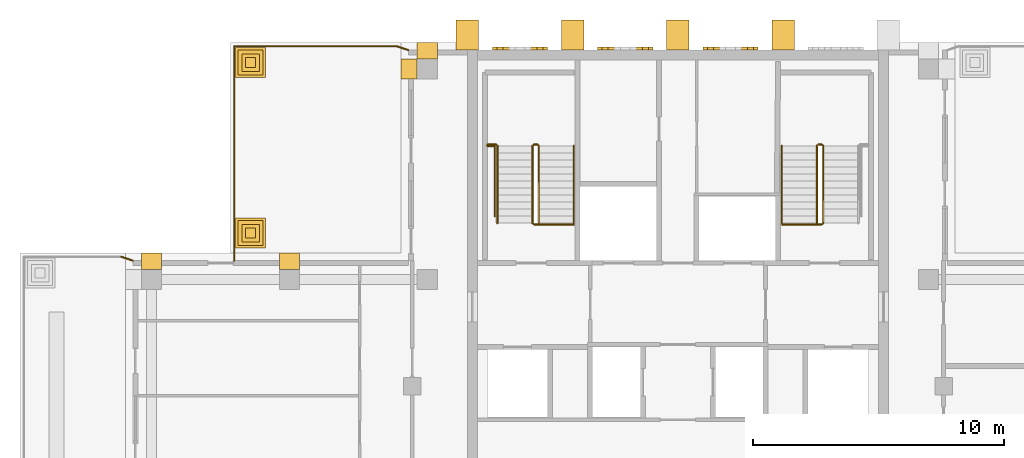
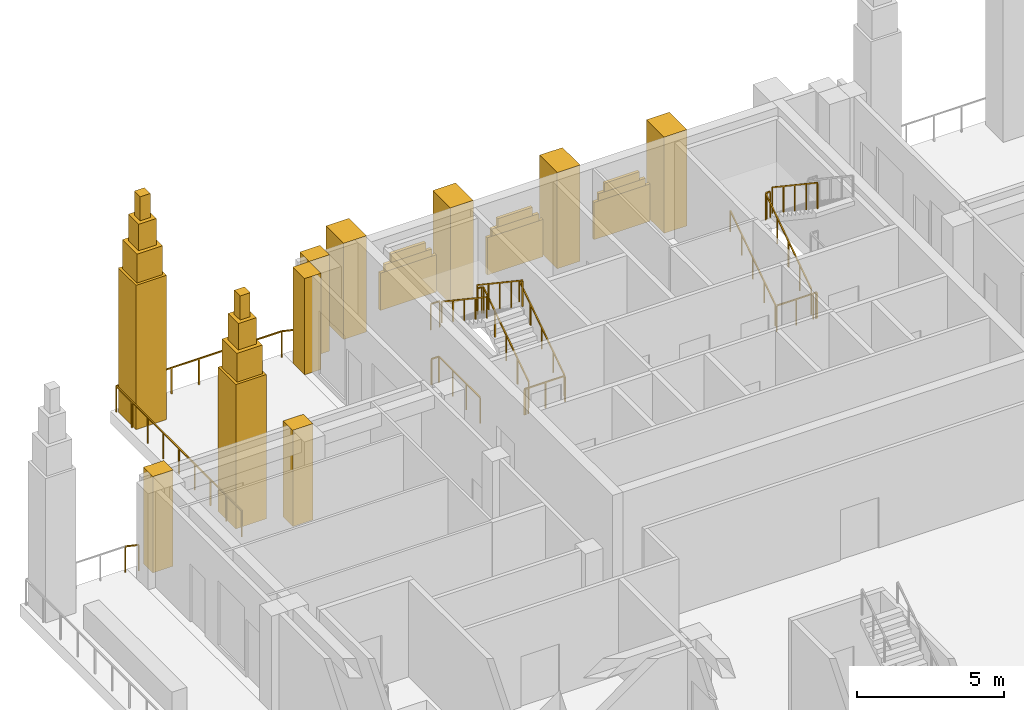
# One storey, part 9 of 10: 25 coverings, 17 railings.
"""IFC4 building model written with IfcOpenShell, lengths in metres."""

from ifc_helpers import new_model, si_unit, direction, frame, origin, origin_2d, place, context, subcontext, project, spatial, polyline, rectangle, outline, extrude, material, type_object, element, save


model = new_model("IFC4")

# Units and contexts
model_context = context("Model", 3, precision=1e-05, world=origin(), true_north=direction((0.0, 1.0)))
body_context = subcontext(model_context, "Body", "Model", "MODEL_VIEW")
ifc_project = project(units=[si_unit("LENGTHUNIT", "METRE"), si_unit("AREAUNIT", "SQUARE_METRE"), si_unit("VOLUMEUNIT", "CUBIC_METRE"), si_unit("PLANEANGLEUNIT", "RADIAN"), si_unit("MASSUNIT", "GRAM", prefix="KILO")], contexts=[model_context])

# Site, building, storey
site_placement = place(None, origin())
site = spatial("IfcSite", under=ifc_project, at=site_placement, CompositionType="ELEMENT")
building_placement = place(site_placement, origin())
building = spatial("IfcBuilding", under=site, at=building_placement, Name="Vermilion Ogive Tower", CompositionType="ELEMENT")
storey_placement = place(building_placement, frame((0.0, 0.0, 269.35009765625)))
storey = spatial("IfcBuildingStorey", under=building, at=storey_placement, Name="L71", CompositionType="ELEMENT", Elevation=269.35009765625)

# Coverings
ifc_material_1 = material(Name="Stone cladding", Category="masonry")
covering_type_1 = type_object("IfcCoveringType", Name="Core buttress pier", PredefinedType="CLADDING", material=ifc_material_1)
covering_1_placement = place(storey_placement, origin())
element("IfcCovering", 1, at=covering_1_placement, inside=storey, type_object=covering_type_1, Name="Buttress pier L71 N1", PredefinedType="CLADDING", context=body_context, shape_type="SweptSolid", body=[
    extrude(outline(polyline([(-8.85009765625, 21.75), (-7.949951171875, 21.75), (-7.949951171875, 22.949951171875), (-8.85009765625, 22.949951171875), (-8.85009765625, 21.75)])), origin(), (0.0, 0.0, 1.0), 4.0),
])
covering_2_placement = place(storey_placement, origin())
element("IfcCovering", 2, at=covering_2_placement, inside=storey, type_object=covering_type_1, Name="Buttress pier L71 N2", PredefinedType="CLADDING", context=body_context, shape_type="SweptSolid", body=[
    extrude(outline(polyline([(-4.64990234375, 21.75), (-3.75, 21.75), (-3.75, 22.949951171875), (-4.64990234375, 22.949951171875), (-4.64990234375, 21.75)])), origin(), (0.0, 0.0, 1.0), 4.0),
])
covering_3_placement = place(storey_placement, origin())
element("IfcCovering", 3, at=covering_3_placement, inside=storey, type_object=covering_type_1, Name="Buttress pier L71 N3", PredefinedType="CLADDING", context=body_context, shape_type="SweptSolid", body=[
    extrude(outline(polyline([(-0.449951171875, 21.75), (0.449951171875, 21.75), (0.449951171875, 22.949951171875), (-0.449951171875, 22.949951171875), (-0.449951171875, 21.75)])), origin(), (0.0, 0.0, 1.0), 4.0),
])
covering_4_placement = place(storey_placement, origin())
element("IfcCovering", 4, at=covering_4_placement, inside=storey, type_object=covering_type_1, Name="Buttress pier L71 N4", PredefinedType="CLADDING", context=body_context, shape_type="SweptSolid", body=[
    extrude(outline(polyline([(3.75, 21.75), (4.64990234375, 21.75), (4.64990234375, 22.949951171875), (3.75, 22.949951171875), (3.75, 21.75)])), origin(), (0.0, 0.0, 1.0), 4.0),
])
ifc_material_2 = material(Name="Stone cladding", Category="masonry")
covering_type_2 = type_object("IfcCoveringType", Name="Lancet panel", PredefinedType="CLADDING", material=ifc_material_2)
covering_5_placement = place(storey_placement, frame((0.0, 0.0, 0.699951171875)))
element("IfcCovering", 5, at=covering_5_placement, inside=storey, type_object=covering_type_2, Name="Lancet panel L71N1A", PredefinedType="CLADDING", context=body_context, shape_type="SweptSolid", body=[
    extrude(outline(polyline([(-7.39990234375, 21.75), (-5.199951171875, 21.75), (-5.199951171875, 21.8701171875), (-7.39990234375, 21.8701171875), (-7.39990234375, 21.75)])), origin(), (0.0, 0.0, 1.0), 1.550048828125),
])
covering_6_placement = place(storey_placement, frame((0.0, 0.0, 2.25)))
element("IfcCovering", 6, at=covering_6_placement, inside=storey, type_object=covering_type_2, Name="Lancet panel L71N1B", PredefinedType="CLADDING", context=body_context, shape_type="SweptSolid", body=[
    extrude(outline(polyline([(-7.22412109375, 21.75), (-5.3759765625, 21.75), (-5.3759765625, 21.8701171875), (-7.22412109375, 21.8701171875), (-7.22412109375, 21.75)])), origin(), (0.0, 0.0, 1.0), 0.2998046875),
])
covering_7_placement = place(storey_placement, frame((0.0, 0.0, 2.5498046875)))
element("IfcCovering", 7, at=covering_7_placement, inside=storey, type_object=covering_type_2, Name="Lancet panel L71N1C", PredefinedType="CLADDING", context=body_context, shape_type="SweptSolid", body=[
    extrude(outline(polyline([(-6.98193359375, 21.75), (-5.617919921875, 21.75), (-5.617919921875, 21.8701171875), (-6.98193359375, 21.8701171875), (-6.98193359375, 21.75)])), origin(), (0.0, 0.0, 1.0), 0.35009765625),
])
covering_8_placement = place(storey_placement, frame((0.0, 0.0, 0.699951171875)))
element("IfcCovering", 8, at=covering_8_placement, inside=storey, type_object=covering_type_2, Name="Lancet panel L71N2A", PredefinedType="CLADDING", context=body_context, shape_type="SweptSolid", body=[
    extrude(outline(polyline([(-3.199951171875, 21.75), (-1.0, 21.75), (-1.0, 21.8701171875), (-3.199951171875, 21.8701171875), (-3.199951171875, 21.75)])), origin(), (0.0, 0.0, 1.0), 1.550048828125),
])
covering_9_placement = place(storey_placement, frame((0.0, 0.0, 2.25)))
element("IfcCovering", 9, at=covering_9_placement, inside=storey, type_object=covering_type_2, Name="Lancet panel L71N2B", PredefinedType="CLADDING", context=body_context, shape_type="SweptSolid", body=[
    extrude(outline(polyline([(-3.02392578125, 21.75), (-1.176025390625, 21.75), (-1.176025390625, 21.8701171875), (-3.02392578125, 21.8701171875), (-3.02392578125, 21.75)])), origin(), (0.0, 0.0, 1.0), 0.2998046875),
])
covering_10_placement = place(storey_placement, frame((0.0, 0.0, 2.5498046875)))
element("IfcCovering", 10, at=covering_10_placement, inside=storey, type_object=covering_type_2, Name="Lancet panel L71N2C", PredefinedType="CLADDING", context=body_context, shape_type="SweptSolid", body=[
    extrude(outline(polyline([(-2.781982421875, 21.75), (-1.41796875, 21.75), (-1.41796875, 21.8701171875), (-2.781982421875, 21.8701171875), (-2.781982421875, 21.75)])), origin(), (0.0, 0.0, 1.0), 0.35009765625),
])
covering_11_placement = place(storey_placement, frame((0.0, 0.0, 0.699951171875)))
element("IfcCovering", 11, at=covering_11_placement, inside=storey, type_object=covering_type_2, Name="Lancet panel L71N3A", PredefinedType="CLADDING", context=body_context, shape_type="SweptSolid", body=[
    extrude(outline(polyline([(1.0, 21.75), (3.199951171875, 21.75), (3.199951171875, 21.8701171875), (1.0, 21.8701171875), (1.0, 21.75)])), origin(), (0.0, 0.0, 1.0), 1.550048828125),
])
covering_12_placement = place(storey_placement, frame((0.0, 0.0, 2.25)))
element("IfcCovering", 12, at=covering_12_placement, inside=storey, type_object=covering_type_2, Name="Lancet panel L71N3B", PredefinedType="CLADDING", context=body_context, shape_type="SweptSolid", body=[
    extrude(outline(polyline([(1.176025390625, 21.75), (3.02392578125, 21.75), (3.02392578125, 21.8701171875), (1.176025390625, 21.8701171875), (1.176025390625, 21.75)])), origin(), (0.0, 0.0, 1.0), 0.2998046875),
])
covering_13_placement = place(storey_placement, frame((0.0, 0.0, 2.5498046875)))
element("IfcCovering", 13, at=covering_13_placement, inside=storey, type_object=covering_type_2, Name="Lancet panel L71N3C", PredefinedType="CLADDING", context=body_context, shape_type="SweptSolid", body=[
    extrude(outline(polyline([(1.41796875, 21.75), (2.781982421875, 21.75), (2.781982421875, 21.8701171875), (1.41796875, 21.8701171875), (1.41796875, 21.75)])), origin(), (0.0, 0.0, 1.0), 0.35009765625),
])

# Railings
ifc_material_3 = material(Name="Steel S355 painted", Category="steel")
railing_type_1 = type_object("IfcRailingType", Name="Stair guard 1100", PredefinedType="GUARDRAIL", material=ifc_material_3)
railing_1_placement = place(storey_placement, frame((-5.550048828125, 14.85009765625, 0.1875)))
element("IfcRailing", 14, at=railing_1_placement, inside=storey, type_object=railing_type_1, Name="L71 ST1 stair guard 1", PredefinedType="GUARDRAIL", context=body_context, shape_type="SweptSolid", body=[
    extrude(rectangle(XDim=0.048095703125, YDim=0.048095703125, at=origin_2d()), frame((0.0, 0.0, 1.076171875), z_axis=(0.0, 0.830893310487, 0.556431762742), x_axis=(-1.0, 0.0, 0.0)), (0.0, 0.0, 1.0), 3.70654296875),
    extrude(rectangle(XDim=0.048095703125, YDim=0.048095703125, at=origin_2d()), frame((0.0, 3.079833984375, 3.138671875), z_axis=(-0.707106781187, 0.707106781187, 0.0), x_axis=(-0.707106781187, -0.707106781187, 0.0)), (0.0, 0.0, 1.0), 0.07080078125),
    extrude(rectangle(XDim=0.048095703125, YDim=0.048095703125, at=origin_2d()), frame((-0.050048828125, 3.1298828125, 3.138671875), z_axis=(-1.0, 0.0, 0.0), x_axis=(0.0, -1.0, 0.0)), (0.0, 0.0, 1.0), 0.14990234375),
    extrude(rectangle(XDim=0.0419921875, YDim=0.0419921875, at=origin_2d()), origin(), (0.0, 0.0, 1.0), 1.052001953125),
    extrude(rectangle(XDim=0.0419921875, YDim=0.0419921875, at=origin_2d()), frame((0.0, 0.77001953125, 0.515625)), (0.0, 0.0, 1.0), 1.052001953125),
    extrude(rectangle(XDim=0.0419921875, YDim=0.0419921875, at=origin_2d()), frame((0.0, 1.5400390625, 1.03125)), (0.0, 0.0, 1.0), 1.052001953125),
    extrude(rectangle(XDim=0.0419921875, YDim=0.0419921875, at=origin_2d()), frame((0.0, 2.309814453125, 1.546875)), (0.0, 0.0, 1.0), 1.052001953125),
    extrude(rectangle(XDim=0.0419921875, YDim=0.0419921875, at=origin_2d()), frame((0.0, 3.079833984375, 2.0625)), (0.0, 0.0, 1.0), 1.052001953125),
    extrude(rectangle(XDim=0.0419921875, YDim=0.0419921875, at=origin_2d()), frame((-0.050048828125, 3.1298828125, 2.0625)), (0.0, 0.0, 1.0), 1.052001953125),
    extrude(rectangle(XDim=0.0419921875, YDim=0.0419921875, at=origin_2d()), frame((-0.199951171875, 3.1298828125, 2.0625)), (0.0, 0.0, 1.0), 1.052001953125),
])
railing_2_placement = place(storey_placement, frame((-5.800048828125, 17.929931640625, 2.4375)))
element("IfcRailing", 15, at=railing_2_placement, inside=storey, type_object=railing_type_1, Name="L71 ST1 stair guard 3", PredefinedType="GUARDRAIL", context=body_context, shape_type="SweptSolid", body=[
    extrude(rectangle(XDim=0.048095703125, YDim=0.048095703125, at=origin_2d()), frame((0.0, 0.0, 1.076171875), z_axis=(0.0, -0.830893310487, 0.556431762742), x_axis=(1.0, 0.0, 0.0)), (0.0, 0.0, 1.0), 3.70654296875),
    extrude(rectangle(XDim=0.0419921875, YDim=0.0419921875, at=origin_2d()), origin(), (0.0, 0.0, 1.0), 1.052001953125),
    extrude(rectangle(XDim=0.0419921875, YDim=0.0419921875, at=origin_2d()), frame((0.0, -0.77001953125, 0.515625)), (0.0, 0.0, 1.0), 1.052001953125),
    extrude(rectangle(XDim=0.0419921875, YDim=0.0419921875, at=origin_2d()), frame((0.0, -1.5400390625, 1.03125)), (0.0, 0.0, 1.0), 1.052001953125),
    extrude(rectangle(XDim=0.0419921875, YDim=0.0419921875, at=origin_2d()), frame((0.0, -2.309814453125, 1.546875)), (0.0, 0.0, 1.0), 1.052001953125),
    extrude(rectangle(XDim=0.0419921875, YDim=0.0419921875, at=origin_2d()), frame((0.0, -3.079833984375, 2.0625)), (0.0, 0.0, 1.0), 1.052001953125),
])
railing_3_placement = place(storey_placement, frame((-5.60009765625, 14.800048828125, 0.0)))
element("IfcRailing", 16, at=railing_3_placement, inside=storey, type_object=railing_type_1, Name="L71 ST1 stair guard 4", PredefinedType="GUARDRAIL", context=body_context, shape_type="SweptSolid", body=[
    extrude(rectangle(XDim=0.048095703125, YDim=0.048095703125, at=origin_2d()), frame((0.0, 0.0, 1.076171875), z_axis=(-1.0, 0.0, 0.0), x_axis=(0.0, -1.0, 0.0)), (0.0, 0.0, 1.0), 0.14990234375),
    extrude(rectangle(XDim=0.0419921875, YDim=0.0419921875, at=origin_2d()), origin(), (0.0, 0.0, 1.0), 1.052001953125),
    extrude(rectangle(XDim=0.0419921875, YDim=0.0419921875, at=origin_2d()), frame((-0.14990234375, 0.0, 0.0)), (0.0, 0.0, 1.0), 1.052001953125),
])
railing_4_placement = place(storey_placement, frame((5.550048828125, 14.85009765625, 0.1875)))
element("IfcRailing", 17, at=railing_4_placement, inside=storey, type_object=railing_type_1, Name="L71 ST2 stair guard 1", PredefinedType="GUARDRAIL", context=body_context, shape_type="SweptSolid", body=[
    extrude(rectangle(XDim=0.048095703125, YDim=0.048095703125, at=origin_2d()), frame((0.0, 0.0, 1.076171875), z_axis=(0.0, 0.830893310487, 0.556431762742), x_axis=(-1.0, 0.0, 0.0)), (0.0, 0.0, 1.0), 3.70654296875),
    extrude(rectangle(XDim=0.048095703125, YDim=0.048095703125, at=origin_2d()), frame((0.0, 3.079833984375, 3.138671875), z_axis=(0.707106781187, 0.707106781187, 0.0), x_axis=(-0.707106781187, 0.707106781187, 0.0)), (0.0, 0.0, 1.0), 0.07080078125),
    extrude(rectangle(XDim=0.048095703125, YDim=0.048095703125, at=origin_2d()), frame((0.050048828125, 3.1298828125, 3.138671875), z_axis=(1.0, 0.0, 0.0), x_axis=(0.0, 1.0, 0.0)), (0.0, 0.0, 1.0), 0.14990234375),
    extrude(rectangle(XDim=0.0419921875, YDim=0.0419921875, at=origin_2d()), origin(), (0.0, 0.0, 1.0), 1.052001953125),
    extrude(rectangle(XDim=0.0419921875, YDim=0.0419921875, at=origin_2d()), frame((0.0, 0.77001953125, 0.515625)), (0.0, 0.0, 1.0), 1.052001953125),
    extrude(rectangle(XDim=0.0419921875, YDim=0.0419921875, at=origin_2d()), frame((0.0, 1.5400390625, 1.03125)), (0.0, 0.0, 1.0), 1.052001953125),
    extrude(rectangle(XDim=0.0419921875, YDim=0.0419921875, at=origin_2d()), frame((0.0, 2.309814453125, 1.546875)), (0.0, 0.0, 1.0), 1.052001953125),
    extrude(rectangle(XDim=0.0419921875, YDim=0.0419921875, at=origin_2d()), frame((0.0, 3.079833984375, 2.0625)), (0.0, 0.0, 1.0), 1.052001953125),
    extrude(rectangle(XDim=0.0419921875, YDim=0.0419921875, at=origin_2d()), frame((0.050048828125, 3.1298828125, 2.0625)), (0.0, 0.0, 1.0), 1.052001953125),
    extrude(rectangle(XDim=0.0419921875, YDim=0.0419921875, at=origin_2d()), frame((0.199951171875, 3.1298828125, 2.0625)), (0.0, 0.0, 1.0), 1.052001953125),
])
railing_5_placement = place(storey_placement, frame((5.800048828125, 17.929931640625, 2.4375)))
element("IfcRailing", 18, at=railing_5_placement, inside=storey, type_object=railing_type_1, Name="L71 ST2 stair guard 3", PredefinedType="GUARDRAIL", context=body_context, shape_type="SweptSolid", body=[
    extrude(rectangle(XDim=0.048095703125, YDim=0.048095703125, at=origin_2d()), frame((0.0, 0.0, 1.076171875), z_axis=(0.0, -0.830893310487, 0.556431762742), x_axis=(1.0, 0.0, 0.0)), (0.0, 0.0, 1.0), 3.70654296875),
    extrude(rectangle(XDim=0.0419921875, YDim=0.0419921875, at=origin_2d()), origin(), (0.0, 0.0, 1.0), 1.052001953125),
    extrude(rectangle(XDim=0.0419921875, YDim=0.0419921875, at=origin_2d()), frame((0.0, -0.77001953125, 0.515625)), (0.0, 0.0, 1.0), 1.052001953125),
    extrude(rectangle(XDim=0.0419921875, YDim=0.0419921875, at=origin_2d()), frame((0.0, -1.5400390625, 1.03125)), (0.0, 0.0, 1.0), 1.052001953125),
    extrude(rectangle(XDim=0.0419921875, YDim=0.0419921875, at=origin_2d()), frame((0.0, -2.309814453125, 1.546875)), (0.0, 0.0, 1.0), 1.052001953125),
    extrude(rectangle(XDim=0.0419921875, YDim=0.0419921875, at=origin_2d()), frame((0.0, -3.079833984375, 2.0625)), (0.0, 0.0, 1.0), 1.052001953125),
])
railing_6_placement = place(storey_placement, frame((5.60009765625, 14.800048828125, 0.0)))
element("IfcRailing", 19, at=railing_6_placement, inside=storey, type_object=railing_type_1, Name="L71 ST2 stair guard 4", PredefinedType="GUARDRAIL", context=body_context, shape_type="SweptSolid", body=[
    extrude(rectangle(XDim=0.048095703125, YDim=0.048095703125, at=origin_2d()), frame((0.0, 0.0, 1.076171875), z_axis=(1.0, 0.0, 0.0), x_axis=(0.0, 1.0, 0.0)), (0.0, 0.0, 1.0), 0.14990234375),
    extrude(rectangle(XDim=0.0419921875, YDim=0.0419921875, at=origin_2d()), origin(), (0.0, 0.0, 1.0), 1.052001953125),
    extrude(rectangle(XDim=0.0419921875, YDim=0.0419921875, at=origin_2d()), frame((0.14990234375, 0.0, 0.0)), (0.0, 0.0, 1.0), 1.052001953125),
])
railing_7_placement = place(storey_placement, frame((-7.60009765625, 17.97998046875, 2.25)))
element("IfcRailing", 20, at=railing_7_placement, inside=storey, type_object=railing_type_1, Name="L71 landing guard", PredefinedType="GUARDRAIL", context=body_context, shape_type="SweptSolid", body=[
    extrude(rectangle(XDim=0.048095703125, YDim=0.048095703125, at=origin_2d()), frame((0.0, 0.0, 1.076171875), z_axis=(1.0, 0.0, 0.0), x_axis=(0.0, 1.0, 0.0)), (0.0, 0.0, 1.0), 0.35009765625),
    extrude(rectangle(XDim=0.0419921875, YDim=0.0419921875, at=origin_2d()), origin(), (0.0, 0.0, 1.0), 1.052001953125),
    extrude(rectangle(XDim=0.0419921875, YDim=0.0419921875, at=origin_2d()), frame((0.35009765625, 0.0, 0.0)), (0.0, 0.0, 1.0), 1.052001953125),
])
railing_8_placement = place(storey_placement, frame((-4.159912109375, 14.7900390625, 0.0)))
element("IfcRailing", 21, at=railing_8_placement, inside=storey, type_object=railing_type_1, Name="L71 stair opening guard", PredefinedType="GUARDRAIL", context=body_context, shape_type="SweptSolid", body=[
    extrude(rectangle(XDim=0.048095703125, YDim=0.048095703125, at=origin_2d()), frame((0.0, 0.0, 1.076171875), z_axis=(-1.0, 0.0, 0.0), x_axis=(0.0, -1.0, 0.0)), (0.0, 0.0, 1.0), 1.5400390625),
    extrude(rectangle(XDim=0.0419921875, YDim=0.0419921875, at=origin_2d()), origin(), (0.0, 0.0, 1.0), 1.052001953125),
    extrude(rectangle(XDim=0.0419921875, YDim=0.0419921875, at=origin_2d()), frame((-0.77001953125, 0.0, 0.0)), (0.0, 0.0, 1.0), 1.052001953125),
    extrude(rectangle(XDim=0.0419921875, YDim=0.0419921875, at=origin_2d()), frame((-1.5400390625, 0.0, 0.0)), (0.0, 0.0, 1.0), 1.052001953125),
])
railing_9_placement = place(storey_placement, frame((-7.309814453125, 15.119384765625, 0.0)))
element("IfcRailing", 22, at=railing_9_placement, inside=storey, type_object=railing_type_1, Name="L71 stair opening guard", PredefinedType="GUARDRAIL", context=body_context, shape_type="SweptSolid", body=[
    extrude(rectangle(XDim=0.048095703125, YDim=0.048095703125, at=origin_2d()), frame((0.0, 0.0, 1.076171875), z_axis=(0.0, 1.0, 0.0), x_axis=(-1.0, 0.0, 0.0)), (0.0, 0.0, 1.0), 2.804443359375),
    extrude(rectangle(XDim=0.048095703125, YDim=0.048095703125, at=origin_2d()), frame((0.0, 2.804443359375, 1.076171875), z_axis=(-1.0, 0.0, 0.0), x_axis=(0.0, -1.0, 0.0)), (0.0, 0.0, 1.0), 0.289794921875),
    extrude(rectangle(XDim=0.0419921875, YDim=0.0419921875, at=origin_2d()), origin(), (0.0, 0.0, 1.0), 1.052001953125),
    extrude(rectangle(XDim=0.0419921875, YDim=0.0419921875, at=origin_2d()), frame((0.0, 0.934814453125, 0.0)), (0.0, 0.0, 1.0), 1.052001953125),
    extrude(rectangle(XDim=0.0419921875, YDim=0.0419921875, at=origin_2d()), frame((0.0, 1.86962890625, 0.0)), (0.0, 0.0, 1.0), 1.052001953125),
    extrude(rectangle(XDim=0.0419921875, YDim=0.0419921875, at=origin_2d()), frame((0.0, 2.804443359375, 0.0)), (0.0, 0.0, 1.0), 1.052001953125),
    extrude(rectangle(XDim=0.0419921875, YDim=0.0419921875, at=origin_2d()), frame((-0.289794921875, 2.804443359375, 0.0)), (0.0, 0.0, 1.0), 1.052001953125),
])
railing_10_placement = place(storey_placement, frame((5.699951171875, 14.7900390625, 0.0)))
element("IfcRailing", 23, at=railing_10_placement, inside=storey, type_object=railing_type_1, Name="L71 stair opening guard", PredefinedType="GUARDRAIL", context=body_context, shape_type="SweptSolid", body=[
    extrude(rectangle(XDim=0.048095703125, YDim=0.048095703125, at=origin_2d()), frame((0.0, 0.0, 1.076171875), z_axis=(-1.0, 0.0, 0.0), x_axis=(0.0, -1.0, 0.0)), (0.0, 0.0, 1.0), 1.5400390625),
    extrude(rectangle(XDim=0.0419921875, YDim=0.0419921875, at=origin_2d()), origin(), (0.0, 0.0, 1.0), 1.052001953125),
    extrude(rectangle(XDim=0.0419921875, YDim=0.0419921875, at=origin_2d()), frame((-0.77001953125, 0.0, 0.0)), (0.0, 0.0, 1.0), 1.052001953125),
    extrude(rectangle(XDim=0.0419921875, YDim=0.0419921875, at=origin_2d()), frame((-1.5400390625, 0.0, 0.0)), (0.0, 0.0, 1.0), 1.052001953125),
])
ifc_material_4 = material(Name="Stainless steel", Category="steel")
railing_type_2 = type_object("IfcRailingType", Name="Stair handrail 900", PredefinedType="HANDRAIL", material=ifc_material_4)
railing_11_placement = place(storey_placement, frame((-4.14990234375, 14.85009765625, 0.1875)))
element("IfcRailing", 24, at=railing_11_placement, inside=storey, type_object=railing_type_2, Name="L71 ST1 stair handrail 1", PredefinedType="HANDRAIL", context=body_context, shape_type="SweptSolid", body=[
    extrude(rectangle(XDim=0.048095703125, YDim=0.048095703125, at=origin_2d()), frame((0.0, 0.0, 0.8759765625), z_axis=(0.0, 0.830893310487, 0.556431762742), x_axis=(-1.0, 0.0, 0.0)), (0.0, 0.0, 1.0), 3.70654296875),
    extrude(rectangle(XDim=0.0419921875, YDim=0.0419921875, at=origin_2d()), origin(), (0.0, 0.0, 1.0), 0.851806640625),
    extrude(rectangle(XDim=0.0419921875, YDim=0.0419921875, at=origin_2d()), frame((0.0, 0.77001953125, 0.515625)), (0.0, 0.0, 1.0), 0.851806640625),
    extrude(rectangle(XDim=0.0419921875, YDim=0.0419921875, at=origin_2d()), frame((0.0, 1.5400390625, 1.03125)), (0.0, 0.0, 1.0), 0.851806640625),
    extrude(rectangle(XDim=0.0419921875, YDim=0.0419921875, at=origin_2d()), frame((0.0, 2.309814453125, 1.546875)), (0.0, 0.0, 1.0), 0.851806640625),
    extrude(rectangle(XDim=0.0419921875, YDim=0.0419921875, at=origin_2d()), frame((0.0, 3.079833984375, 2.0625)), (0.0, 0.0, 1.0), 0.851806640625),
])
railing_12_placement = place(storey_placement, frame((-7.199951171875, 17.929931640625, 2.4375)))
element("IfcRailing", 25, at=railing_12_placement, inside=storey, type_object=railing_type_2, Name="L71 ST1 stair handrail 2", PredefinedType="HANDRAIL", context=body_context, shape_type="SweptSolid", body=[
    extrude(rectangle(XDim=0.048095703125, YDim=0.048095703125, at=origin_2d()), frame((0.0, 0.0, 0.8759765625), z_axis=(0.0, -0.830893310487, 0.556431762742), x_axis=(1.0, 0.0, 0.0)), (0.0, 0.0, 1.0), 3.70654296875),
    extrude(rectangle(XDim=0.0419921875, YDim=0.0419921875, at=origin_2d()), origin(), (0.0, 0.0, 1.0), 0.851806640625),
    extrude(rectangle(XDim=0.0419921875, YDim=0.0419921875, at=origin_2d()), frame((0.0, -0.77001953125, 0.515625)), (0.0, 0.0, 1.0), 0.851806640625),
    extrude(rectangle(XDim=0.0419921875, YDim=0.0419921875, at=origin_2d()), frame((0.0, -1.5400390625, 1.03125)), (0.0, 0.0, 1.0), 0.851806640625),
    extrude(rectangle(XDim=0.0419921875, YDim=0.0419921875, at=origin_2d()), frame((0.0, -2.309814453125, 1.546875)), (0.0, 0.0, 1.0), 0.851806640625),
    extrude(rectangle(XDim=0.0419921875, YDim=0.0419921875, at=origin_2d()), frame((0.0, -3.079833984375, 2.0625)), (0.0, 0.0, 1.0), 0.851806640625),
])
railing_13_placement = place(storey_placement, frame((4.14990234375, 14.85009765625, 0.1875)))
element("IfcRailing", 26, at=railing_13_placement, inside=storey, type_object=railing_type_2, Name="L71 ST2 stair handrail 1", PredefinedType="HANDRAIL", context=body_context, shape_type="SweptSolid", body=[
    extrude(rectangle(XDim=0.048095703125, YDim=0.048095703125, at=origin_2d()), frame((0.0, 0.0, 0.8759765625), z_axis=(0.0, 0.830893310487, 0.556431762742), x_axis=(-1.0, 0.0, 0.0)), (0.0, 0.0, 1.0), 3.70654296875),
    extrude(rectangle(XDim=0.0419921875, YDim=0.0419921875, at=origin_2d()), origin(), (0.0, 0.0, 1.0), 0.851806640625),
    extrude(rectangle(XDim=0.0419921875, YDim=0.0419921875, at=origin_2d()), frame((0.0, 0.77001953125, 0.515625)), (0.0, 0.0, 1.0), 0.851806640625),
    extrude(rectangle(XDim=0.0419921875, YDim=0.0419921875, at=origin_2d()), frame((0.0, 1.5400390625, 1.03125)), (0.0, 0.0, 1.0), 0.851806640625),
    extrude(rectangle(XDim=0.0419921875, YDim=0.0419921875, at=origin_2d()), frame((0.0, 2.309814453125, 1.546875)), (0.0, 0.0, 1.0), 0.851806640625),
    extrude(rectangle(XDim=0.0419921875, YDim=0.0419921875, at=origin_2d()), frame((0.0, 3.079833984375, 2.0625)), (0.0, 0.0, 1.0), 0.851806640625),
])

# Coverings
ifc_material_5 = material(Name="Stone cladding", Category="masonry")
covering_type_3 = type_object("IfcCoveringType", Name="Stone pier", PredefinedType="CLADDING", material=ifc_material_5)
covering_14_placement = place(storey_placement, origin())
element("IfcCovering", 27, at=covering_14_placement, inside=storey, type_object=covering_type_3, Name="Stone pier P-0100+210N2", PredefinedType="CLADDING", context=body_context, shape_type="SweptSolid", body=[
    extrude(outline(polyline([(-10.39990234375, 22.050048828125), (-9.60009765625, 22.050048828125), (-9.60009765625, 21.39990234375), (-10.39990234375, 21.39990234375), (-10.39990234375, 22.050048828125)])), origin(), (0.0, 0.0, 1.0), 4.0),
])
covering_15_placement = place(storey_placement, origin())
element("IfcCovering", 28, at=covering_15_placement, inside=storey, type_object=covering_type_3, Name="Stone pier P-0100+210X5", PredefinedType="CLADDING", context=body_context, shape_type="SweptSolid", body=[
    extrude(outline(polyline([(-11.050048828125, 21.39990234375), (-10.39990234375, 21.39990234375), (-10.39990234375, 20.60009765625), (-11.050048828125, 20.60009765625), (-11.050048828125, 21.39990234375)])), origin(), (0.0, 0.0, 1.0), 4.0),
])
covering_16_placement = place(storey_placement, origin())
element("IfcCovering", 29, at=covering_16_placement, inside=storey, type_object=covering_type_3, Name="Stone pier P-0155+126", PredefinedType="CLADDING", context=body_context, shape_type="SweptSolid", body=[
    extrude(outline(polyline([(-15.89990234375, 13.64990234375), (-15.10009765625, 13.64990234375), (-15.10009765625, 13.0), (-15.89990234375, 13.0), (-15.89990234375, 13.64990234375)])), origin(), (0.0, 0.0, 1.0), 4.0),
])
covering_17_placement = place(storey_placement, origin())
element("IfcCovering", 30, at=covering_17_placement, inside=storey, type_object=covering_type_3, Name="Stone pier P-0210+126X6", PredefinedType="CLADDING", context=body_context, shape_type="SweptSolid", body=[
    extrude(outline(polyline([(-21.39990234375, 13.64990234375), (-20.60009765625, 13.64990234375), (-20.60009765625, 13.0), (-21.39990234375, 13.0), (-21.39990234375, 13.64990234375)])), origin(), (0.0, 0.0, 1.0), 4.0),
])
ifc_material_6 = material(Name="Stone cladding", Category="masonry")
covering_type_4 = type_object("IfcCoveringType", Name="Stone pinnacle", PredefinedType="CLADDING", material=ifc_material_6)
covering_18_placement = place(storey_placement, origin())
element("IfcCovering", 31, at=covering_18_placement, inside=storey, type_object=covering_type_4, Name="Stone pinnacle L712111A", PredefinedType="CLADDING", context=body_context, shape_type="SweptSolid", body=[
    extrude(outline(polyline([(-17.64990234375, 20.64990234375), (-16.449951171875, 20.64990234375), (-16.449951171875, 21.85009765625), (-17.64990234375, 21.85009765625), (-17.64990234375, 20.64990234375)])), origin(), (0.0, 0.0, 1.0), 6.0),
])
covering_19_placement = place(storey_placement, frame((0.0, 0.0, 6.0)))
element("IfcCovering", 32, at=covering_19_placement, inside=storey, type_object=covering_type_4, Name="Stone pinnacle L712111B", PredefinedType="CLADDING", context=body_context, shape_type="SweptSolid", body=[
    extrude(outline(polyline([(-17.550048828125, 20.75), (-16.550048828125, 20.75), (-16.550048828125, 21.75), (-17.550048828125, 21.75), (-17.550048828125, 20.75)])), origin(), (0.0, 0.0, 1.0), 1.199951171875),
])
covering_20_placement = place(storey_placement, frame((0.0, 0.0, 7.199951171875)))
element("IfcCovering", 33, at=covering_20_placement, inside=storey, type_object=covering_type_4, Name="Stone pinnacle L712111C", PredefinedType="CLADDING", context=body_context, shape_type="SweptSolid", body=[
    extrude(outline(polyline([(-17.39990234375, 20.89990234375), (-16.699951171875, 20.89990234375), (-16.699951171875, 21.60009765625), (-17.39990234375, 21.60009765625), (-17.39990234375, 20.89990234375)])), origin(), (0.0, 0.0, 1.0), 1.099853515625),
])
covering_21_placement = place(storey_placement, frame((0.0, 0.0, 8.2998046875)))
element("IfcCovering", 34, at=covering_21_placement, inside=storey, type_object=covering_type_4, Name="Stone pinnacle L712111D", PredefinedType="CLADDING", context=body_context, shape_type="SweptSolid", body=[
    extrude(outline(polyline([(-17.25, 21.050048828125), (-16.85009765625, 21.050048828125), (-16.85009765625, 21.449951171875), (-17.25, 21.449951171875), (-17.25, 21.050048828125)])), origin(), (0.0, 0.0, 1.0), 1.0),
])
covering_22_placement = place(storey_placement, origin())
element("IfcCovering", 35, at=covering_22_placement, inside=storey, type_object=covering_type_4, Name="Stone pinnacle L712141A", PredefinedType="CLADDING", context=body_context, shape_type="SweptSolid", body=[
    extrude(outline(polyline([(-17.64990234375, 13.85009765625), (-16.449951171875, 13.85009765625), (-16.449951171875, 15.050048828125), (-17.64990234375, 15.050048828125), (-17.64990234375, 13.85009765625)])), origin(), (0.0, 0.0, 1.0), 6.0),
])
covering_23_placement = place(storey_placement, frame((0.0, 0.0, 6.0)))
element("IfcCovering", 36, at=covering_23_placement, inside=storey, type_object=covering_type_4, Name="Stone pinnacle L712141B", PredefinedType="CLADDING", context=body_context, shape_type="SweptSolid", body=[
    extrude(outline(polyline([(-17.550048828125, 13.949951171875), (-16.550048828125, 13.949951171875), (-16.550048828125, 14.949951171875), (-17.550048828125, 14.949951171875), (-17.550048828125, 13.949951171875)])), origin(), (0.0, 0.0, 1.0), 1.199951171875),
])
covering_24_placement = place(storey_placement, frame((0.0, 0.0, 7.199951171875)))
element("IfcCovering", 37, at=covering_24_placement, inside=storey, type_object=covering_type_4, Name="Stone pinnacle L712141C", PredefinedType="CLADDING", context=body_context, shape_type="SweptSolid", body=[
    extrude(outline(polyline([(-17.39990234375, 14.10009765625), (-16.699951171875, 14.10009765625), (-16.699951171875, 14.800048828125), (-17.39990234375, 14.800048828125), (-17.39990234375, 14.10009765625)])), origin(), (0.0, 0.0, 1.0), 1.099853515625),
])
covering_25_placement = place(storey_placement, frame((0.0, 0.0, 8.2998046875)))
element("IfcCovering", 38, at=covering_25_placement, inside=storey, type_object=covering_type_4, Name="Stone pinnacle L712141D", PredefinedType="CLADDING", context=body_context, shape_type="SweptSolid", body=[
    extrude(outline(polyline([(-17.25, 14.25), (-16.85009765625, 14.25), (-16.85009765625, 14.64990234375), (-17.25, 14.64990234375), (-17.25, 14.25)])), origin(), (0.0, 0.0, 1.0), 1.0),
])

# Railings
ifc_material_7 = material(Name="Stainless steel and glass", Category="steel")
railing_type_3 = type_object("IfcRailingType", Name="Terrace guard", PredefinedType="GUARDRAIL", material=ifc_material_7)
railing_14_placement = place(storey_placement, frame((-22.199951171875, 13.5, 0.0)))
element("IfcRailing", 39, at=railing_14_placement, inside=storey, type_object=railing_type_3, Name="Terrace guard 1.1.11", PredefinedType="GUARDRAIL", context=body_context, shape_type="SweptSolid", body=[
    extrude(rectangle(XDim=0.048095703125, YDim=0.048095703125, at=origin_2d()), frame((0.0, 0.0, 1.076171875), z_axis=(0.948734763221, -0.316073328604, 0.0), x_axis=(0.316073328604, 0.948734763221, 0.0)), (0.0, 0.0, 1.0), 0.474365234375),
    extrude(rectangle(XDim=0.0419921875, YDim=0.0419921875, at=origin_2d()), origin(), (0.0, 0.0, 1.0), 1.052001953125),
    extrude(rectangle(XDim=0.0419921875, YDim=0.0419921875, at=origin_2d()), frame((0.449951171875, -0.14990234375, 0.0)), (0.0, 0.0, 1.0), 1.052001953125),
])
railing_15_placement = place(storey_placement, frame((-17.699951171875, 13.35009765625, 0.0)))
element("IfcRailing", 40, at=railing_15_placement, inside=storey, type_object=railing_type_3, Name="Terrace guard 2.1", PredefinedType="GUARDRAIL", context=body_context, shape_type="SweptSolid", body=[
    extrude(rectangle(XDim=0.048095703125, YDim=0.048095703125, at=origin_2d()), frame((0.0, 0.0, 1.076171875), z_axis=(0.0, 1.0, 0.0), x_axis=(-1.0, 0.0, 0.0)), (0.0, 0.0, 1.0), 8.5498046875),
    extrude(rectangle(XDim=0.0419921875, YDim=0.0419921875, at=origin_2d()), origin(), (0.0, 0.0, 1.0), 1.052001953125),
    extrude(rectangle(XDim=0.0419921875, YDim=0.0419921875, at=origin_2d()), frame((0.0, 1.06884765625, 0.0)), (0.0, 0.0, 1.0), 1.052001953125),
    extrude(rectangle(XDim=0.0419921875, YDim=0.0419921875, at=origin_2d()), frame((0.0, 2.137451171875, 0.0)), (0.0, 0.0, 1.0), 1.052001953125),
    extrude(rectangle(XDim=0.0419921875, YDim=0.0419921875, at=origin_2d()), frame((0.0, 3.2060546875, 0.0)), (0.0, 0.0, 1.0), 1.052001953125),
    extrude(rectangle(XDim=0.0419921875, YDim=0.0419921875, at=origin_2d()), frame((0.0, 4.27490234375, 0.0)), (0.0, 0.0, 1.0), 1.052001953125),
    extrude(rectangle(XDim=0.0419921875, YDim=0.0419921875, at=origin_2d()), frame((0.0, 5.34375, 0.0)), (0.0, 0.0, 1.0), 1.052001953125),
    extrude(rectangle(XDim=0.0419921875, YDim=0.0419921875, at=origin_2d()), frame((0.0, 6.412353515625, 0.0)), (0.0, 0.0, 1.0), 1.052001953125),
    extrude(rectangle(XDim=0.0419921875, YDim=0.0419921875, at=origin_2d()), frame((0.0, 7.48095703125, 0.0)), (0.0, 0.0, 1.0), 1.052001953125),
    extrude(rectangle(XDim=0.0419921875, YDim=0.0419921875, at=origin_2d()), frame((0.0, 8.5498046875, 0.0)), (0.0, 0.0, 1.0), 1.052001953125),
])
railing_16_placement = place(storey_placement, frame((-17.699951171875, 21.89990234375, 0.0)))
element("IfcRailing", 41, at=railing_16_placement, inside=storey, type_object=railing_type_3, Name="Terrace guard 2.1.2", PredefinedType="GUARDRAIL", context=body_context, shape_type="SweptSolid", body=[
    extrude(rectangle(XDim=0.048095703125, YDim=0.048095703125, at=origin_2d()), frame((0.0, 0.0, 1.076171875), z_axis=(1.0, 0.0, 0.0), x_axis=(0.0, 1.0, 0.0)), (0.0, 0.0, 1.0), 6.5),
    extrude(rectangle(XDim=0.0419921875, YDim=0.0419921875, at=origin_2d()), origin(), (0.0, 0.0, 1.0), 1.052001953125),
    extrude(rectangle(XDim=0.0419921875, YDim=0.0419921875, at=origin_2d()), frame((1.083251953125, 0.0, 0.0)), (0.0, 0.0, 1.0), 1.052001953125),
    extrude(rectangle(XDim=0.0419921875, YDim=0.0419921875, at=origin_2d()), frame((2.166748046875, 0.0, 0.0)), (0.0, 0.0, 1.0), 1.052001953125),
    extrude(rectangle(XDim=0.0419921875, YDim=0.0419921875, at=origin_2d()), frame((3.25, 0.0, 0.0)), (0.0, 0.0, 1.0), 1.052001953125),
    extrude(rectangle(XDim=0.0419921875, YDim=0.0419921875, at=origin_2d()), frame((4.333251953125, 0.0, 0.0)), (0.0, 0.0, 1.0), 1.052001953125),
    extrude(rectangle(XDim=0.0419921875, YDim=0.0419921875, at=origin_2d()), frame((5.416748046875, 0.0, 0.0)), (0.0, 0.0, 1.0), 1.052001953125),
    extrude(rectangle(XDim=0.0419921875, YDim=0.0419921875, at=origin_2d()), frame((6.5, 0.0, 0.0)), (0.0, 0.0, 1.0), 1.052001953125),
])
railing_17_placement = place(storey_placement, frame((-11.199951171875, 21.89990234375, 0.0)))
element("IfcRailing", 42, at=railing_17_placement, inside=storey, type_object=railing_type_3, Name="Terrace guard 2.1.3", PredefinedType="GUARDRAIL", context=body_context, shape_type="SweptSolid", body=[
    extrude(rectangle(XDim=0.048095703125, YDim=0.048095703125, at=origin_2d()), frame((0.0, 0.0, 1.076171875), z_axis=(0.948734763221, -0.316073328604, 0.0), x_axis=(0.316073328604, 0.948734763221, 0.0)), (0.0, 0.0, 1.0), 0.474365234375),
    extrude(rectangle(XDim=0.0419921875, YDim=0.0419921875, at=origin_2d()), origin(), (0.0, 0.0, 1.0), 1.052001953125),
    extrude(rectangle(XDim=0.0419921875, YDim=0.0419921875, at=origin_2d()), frame((0.449951171875, -0.14990234375, 0.0)), (0.0, 0.0, 1.0), 1.052001953125),
])

save(model, "model.ifc")
